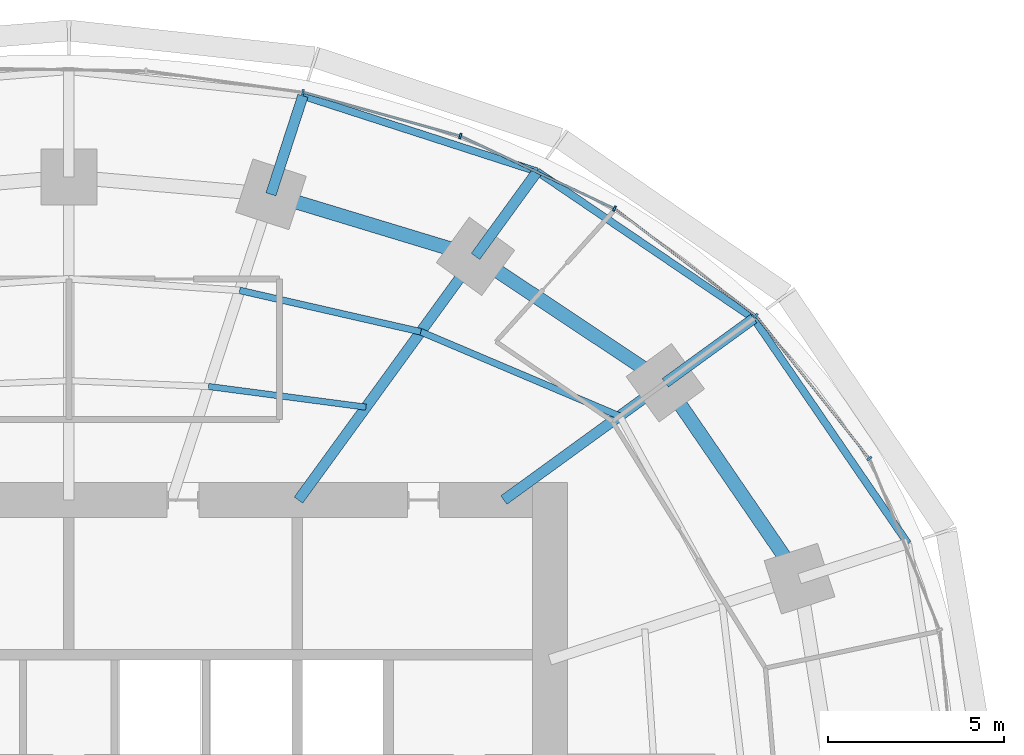
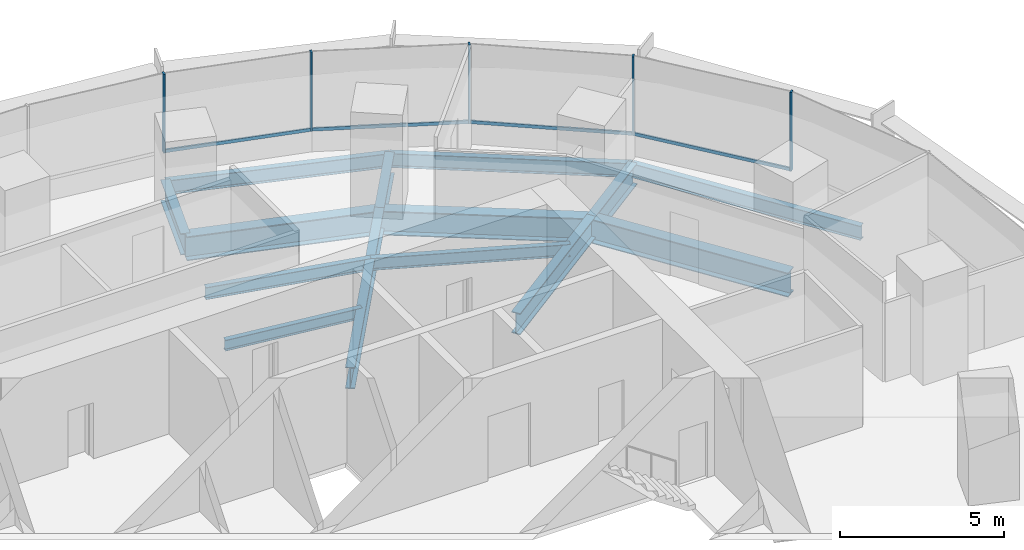
# One storey, part 8 of 14: 14 beams, 9 members, 2 elements without a shape of their own.
"""IFC4 building model written with IfcOpenShell, lengths in metres."""

from ifc_helpers import new_model, si_unit, direction, frame, origin, origin_2d, place, context, subcontext, project, spatial, rectangle, i_section, extrude, material, material_profile, profile_set, type_object, element, aggregate, save


model = new_model("IFC4")

# Units and contexts
model_context = context("Model", 3, precision=1e-05, world=origin(), true_north=direction((0.0, 1.0)))
body_context = subcontext(model_context, "Body", "Model", "MODEL_VIEW")
ifc_project = project(units=[si_unit("LENGTHUNIT", "METRE"), si_unit("AREAUNIT", "SQUARE_METRE"), si_unit("VOLUMEUNIT", "CUBIC_METRE"), si_unit("PLANEANGLEUNIT", "RADIAN"), si_unit("MASSUNIT", "GRAM", prefix="KILO")], contexts=[model_context])

# Site, building, storey
site_placement = place(None, origin())
site = spatial("IfcSite", under=ifc_project, at=site_placement, CompositionType="ELEMENT")
building_placement = place(site_placement, origin())
building = spatial("IfcBuilding", under=site, at=building_placement, Name="Marramba Exchange Tower", CompositionType="ELEMENT")
storey_placement = place(building_placement, frame((0.0, 0.0, 96.300048828125)))
storey = spatial("IfcBuildingStorey", under=building, at=storey_placement, Name="L22", CompositionType="ELEMENT", Elevation=96.300048828125)

# Beams
ifc_material_1 = material(Name="Steel AS/NZS 3679.2 grade 300", Category="steel")
ifc_material_profile_1 = material_profile(ifc_material_1, i_section(OverallWidth=0.300048828125, OverallDepth=0.800048828125, WebThickness=0.013916015625, FlangeThickness=0.031982421875, at=origin_2d()), Name="800WB192")
ifc_profile_set_1 = profile_set([ifc_material_profile_1], Name="Steel AS/NZS 3679.2 grade 300")
beam_type_1 = type_object("IfcBeamType", Name="Cantilever girder 800WB192", PredefinedType="BEAM", material=ifc_profile_set_1)
beam_1_placement = place(storey_placement, frame((16.98583984375, 12.3408203125, -0.56005859375), z_axis=(0.809013970709, 0.58778941399, 0.0), x_axis=(-0.58778941399, 0.809013970709, 0.0)))
element("IfcBeam", 1, at=beam_1_placement, inside=storey, type_object=beam_type_1, Name="Cantilever girder L22 TC03", PredefinedType="BEAM", context=body_context, shape_type="SweptSolid", body=[
    extrude(i_section(OverallWidth=0.300048828125, OverallDepth=0.800048828125, WebThickness=0.013916015625, FlangeThickness=0.031982421875, at=origin_2d()), origin(), (0.0, 0.0, 1.0), 3.1142578125),
])
beam_2_placement = place(storey_placement, frame((11.581298828125, 15.9404296875, -0.56005859375), z_axis=(0.587821738214, 0.808990484544, 0.0), x_axis=(-0.808990484544, 0.587821738214, 0.0)))
element("IfcBeam", 2, at=beam_2_placement, inside=storey, type_object=beam_type_1, Name="Cantilever girder L22 TC04", PredefinedType="BEAM", context=body_context, shape_type="SweptSolid", body=[
    extrude(i_section(OverallWidth=0.300048828125, OverallDepth=0.800048828125, WebThickness=0.013916015625, FlangeThickness=0.031982421875, at=origin_2d()), origin(), (0.0, 0.0, 1.0), 2.987060546875),
])
beam_3_placement = place(storey_placement, frame((5.75390625, 17.70849609375, -0.56005859375), z_axis=(0.309018704887, 0.951055960514, 0.0), x_axis=(-0.951055960514, 0.309018704887, 0.0)))
element("IfcBeam", 3, at=beam_3_placement, inside=storey, type_object=beam_type_1, Name="Cantilever girder L22 TC05", PredefinedType="BEAM", context=body_context, shape_type="SweptSolid", body=[
    extrude(i_section(OverallWidth=0.300048828125, OverallDepth=0.800048828125, WebThickness=0.013916015625, FlangeThickness=0.031982421875, at=origin_2d()), origin(), (0.0, 0.0, 1.0), 2.949951171875),
])
ifc_material_2 = material(Name="Steel AS/NZS 3679.1 grade 300", Category="steel")
ifc_material_profile_2 = material_profile(ifc_material_2, i_section(OverallWidth=0.177978515625, OverallDepth=0.406005859375, WebThickness=0.0078125, FlangeThickness=0.0126953125, FilletRadius=0.011474609375, at=origin_2d()), Name="410UB59.7")
ifc_profile_set_2 = profile_set([ifc_material_profile_2], Name="Steel AS/NZS 3679.1 grade 300")
beam_type_2 = type_object("IfcBeamType", Name="Floor joist 410UB59.7", PredefinedType="JOIST", material=ifc_profile_set_2)
beam_4_placement = place(storey_placement, frame((8.4619140625, 11.646728515625, -0.363037109375), z_axis=(-0.991480538255, 0.130254912618, 0.0), x_axis=(-0.130254912618, -0.991480538255, 0.0)))
element("IfcBeam", 4, at=beam_4_placement, inside=storey, type_object=beam_type_2, Name="Joist L22 bay 04 row 1", PredefinedType="JOIST", context=body_context, shape_type="SweptSolid", body=[
    extrude(i_section(OverallWidth=0.177978515625, OverallDepth=0.406005859375, WebThickness=0.0078125, FlangeThickness=0.0126953125, FilletRadius=0.011474609375, at=origin_2d()), origin(), (0.0, 0.0, 1.0), 4.524658203125),
])
ifc_material_profile_3 = material_profile(ifc_material_2, i_section(OverallWidth=0.18994140625, OverallDepth=0.4541015625, WebThickness=0.008544921875, FlangeThickness=0.0126953125, FilletRadius=0.011474609375, at=origin_2d()), Name="460UB67.1")
ifc_profile_set_3 = profile_set([ifc_material_profile_3], Name="Steel AS/NZS 3679.1 grade 300")
beam_type_3 = type_object("IfcBeamType", Name="Floor joist 460UB67.1", PredefinedType="JOIST", material=ifc_profile_set_3)
beam_5_placement = place(storey_placement, frame((15.682373046875, 11.393798828125, -0.386962890625), z_axis=(-0.920674336375, 0.390331610738, 0.0), x_axis=(-0.390331610738, -0.920674336375, 0.0)))
element("IfcBeam", 5, at=beam_5_placement, inside=storey, type_object=beam_type_3, Name="Joist L22 bay 03 row 2", PredefinedType="JOIST", context=body_context, shape_type="SweptSolid", body=[
    extrude(i_section(OverallWidth=0.18994140625, OverallDepth=0.4541015625, WebThickness=0.008544921875, FlangeThickness=0.0126953125, FilletRadius=0.011474609375, at=origin_2d()), origin(), (0.0, 0.0, 1.0), 6.1484375),
])
beam_6_placement = place(storey_placement, frame((10.021728515625, 13.793701171875, -0.386962890625), z_axis=(-0.974859652292, 0.222819788916, 0.0), x_axis=(-0.222819788916, -0.974859652292, 0.0)))
element("IfcBeam", 6, at=beam_6_placement, inside=storey, type_object=beam_type_3, Name="Joist L22 bay 04 row 2", PredefinedType="JOIST", context=body_context, shape_type="SweptSolid", body=[
    extrude(i_section(OverallWidth=0.18994140625, OverallDepth=0.4541015625, WebThickness=0.008544921875, FlangeThickness=0.0126953125, FilletRadius=0.011474609375, at=origin_2d()), origin(), (0.0, 0.0, 1.0), 5.2900390625),
])

# Curtain wall, members
ifc_material_3 = material(Name="Aluminium framing, bronze anodised", Category="aluminium")
curtain_wall_type = type_object("IfcCurtainWallType", Name="Office ribbon curtain wall", PredefinedType="USERDEFINED", material=ifc_material_3)
curtain_wall_1_placement = place(storey_placement, origin())
curtain_wall_1 = element("IfcCurtainWall", 7, at=curtain_wall_1_placement, inside=storey, type_object=curtain_wall_type, Name="Curtain wall CW4 L22 F01-F05", ObjectType="RIBBON CURTAIN WALL", PredefinedType="USERDEFINED")
ifc_material_4 = material(Name="Aluminium mullion, bronze anodised", Category="aluminium")
ifc_material_profile_4 = material_profile(ifc_material_4, rectangle(XDim=0.159912109375, YDim=0.06005859375, at=origin_2d()), Name="CW4 mullion 60x160")
ifc_profile_set_4 = profile_set([ifc_material_profile_4], Name="Aluminium mullion, bronze anodised")
member_type_1 = type_object("IfcMemberType", Name="Office ribbon curtain wall mullion", PredefinedType="MULLION", material=ifc_profile_set_4)
member_1_placement = place(storey_placement, frame((22.796630859375, 10.181640625, 0.800048828125), z_axis=(0.0, 0.0, 1.0), x_axis=(-0.783563266703, -0.621312004611, 0.0)))
member_1 = element("IfcMember", 8, at=member_1_placement, type_object=member_type_1, Name="CW4 mullion 1", PredefinedType="MULLION", context=body_context, shape_type="SweptSolid", body=[
    extrude(rectangle(XDim=0.159912109375, YDim=0.06005859375, at=origin_2d()), origin(), (0.0, 0.0, 1.0), 2.93994140625),
])
member_2_placement = place(storey_placement, frame((19.5625, 14.24853515625, 0.800048828125), z_axis=(0.0, 0.0, 1.0), x_axis=(-0.60533377223, -0.795971748366, 0.0)))
member_2 = element("IfcMember", 9, at=member_2_placement, type_object=member_type_1, Name="CW4 mullion 1", PredefinedType="MULLION", context=body_context, shape_type="SweptSolid", body=[
    extrude(rectangle(XDim=0.159912109375, YDim=0.06005859375, at=origin_2d()), origin(), (0.0, 0.0, 1.0), 2.93994140625),
])
member_3_placement = place(storey_placement, frame((15.538818359375, 17.300537109375, 0.800048828125), z_axis=(0.0, 0.0, 1.0), x_axis=(-0.426678995157, -0.904403137485, 0.0)))
member_3 = element("IfcMember", 10, at=member_3_placement, type_object=member_type_1, Name="CW4 mullion 1", PredefinedType="MULLION", context=body_context, shape_type="SweptSolid", body=[
    extrude(rectangle(XDim=0.159912109375, YDim=0.06005859375, at=origin_2d()), origin(), (0.0, 0.0, 1.0), 2.93994140625),
])

curtain_wall_2_placement = place(storey_placement, origin())
curtain_wall_2 = element("IfcCurtainWall", 11, at=curtain_wall_2_placement, inside=storey, type_object=curtain_wall_type, Name="Curtain wall CW4 L22 F06-F10", ObjectType="RIBBON CURTAIN WALL", PredefinedType="USERDEFINED")
member_4_placement = place(storey_placement, frame((11.147705078125, 19.366455078125, 0.800048828125), z_axis=(0.0, 0.0, 1.0), x_axis=(-0.268865090816, -0.963177845956, 0.0)))
member_4 = element("IfcMember", 12, at=member_4_placement, type_object=member_type_1, Name="CW4 mullion 1", PredefinedType="MULLION", context=body_context, shape_type="SweptSolid", body=[
    extrude(rectangle(XDim=0.159912109375, YDim=0.06005859375, at=origin_2d()), origin(), (0.0, 0.0, 1.0), 2.93994140625),
])
member_5_placement = place(storey_placement, frame((6.66650390625, 20.61328125, 0.800048828125), z_axis=(0.0, 0.0, 1.0), x_axis=(-0.135785837319, -0.990738212841, 0.0)))
member_5 = element("IfcMember", 13, at=member_5_placement, type_object=member_type_1, Name="CW4 mullion 1", PredefinedType="MULLION", context=body_context, shape_type="SweptSolid", body=[
    extrude(rectangle(XDim=0.159912109375, YDim=0.06005859375, at=origin_2d()), origin(), (0.0, 0.0, 1.0), 2.93994140625),
])

# Member
ifc_material_5 = material(Name="Aluminium transom, bronze anodised", Category="aluminium")
ifc_material_profile_5 = material_profile(ifc_material_5, rectangle(XDim=0.06005859375, YDim=0.1201171875, at=origin_2d()), Name="CW4 transom 60x120")
ifc_profile_set_5 = profile_set([ifc_material_profile_5], Name="Aluminium transom, bronze anodised")
member_type_2 = type_object("IfcMemberType", Name="Office ribbon curtain wall transom", PredefinedType="USERDEFINED", material=ifc_profile_set_5)
member_6_placement = place(storey_placement, frame((22.778076171875, 10.205078125, 0.829833984375), z_axis=(-0.621339379472, 0.783541559534, 0.0), x_axis=(-0.783541559534, -0.621339379472, 0.0)))
member_6 = element("IfcMember", 14, at=member_6_placement, type_object=member_type_2, Name="CW4 sill transom", ObjectType="TRANSOM", PredefinedType="USERDEFINED", context=body_context, shape_type="SweptSolid", body=[
    extrude(rectangle(XDim=0.06005859375, YDim=0.1201171875, at=origin_2d()), origin(), (0.0, 0.0, 1.0), 5.13720703125),
])

member_7_placement = place(storey_placement, frame((19.53857421875, 14.2666015625, 0.829833984375), z_axis=(-0.7959906025, 0.605308979556, 0.0), x_axis=(-0.605308979556, -0.7959906025, 0.0)))
member_7 = element("IfcMember", 15, at=member_7_placement, type_object=member_type_2, Name="CW4 sill transom", ObjectType="TRANSOM", PredefinedType="USERDEFINED", context=body_context, shape_type="SweptSolid", body=[
    extrude(rectangle(XDim=0.06005859375, YDim=0.1201171875, at=origin_2d()), origin(), (0.0, 0.0, 1.0), 4.99072265625),
])

member_8_placement = place(storey_placement, frame((15.51171875, 17.313232421875, 0.829833984375), z_axis=(-0.904410826824, 0.426662696193, 0.0), x_axis=(-0.426662696193, -0.904410826824, 0.0)))
member_8 = element("IfcMember", 16, at=member_8_placement, type_object=member_type_2, Name="CW4 sill transom", ObjectType="TRANSOM", PredefinedType="USERDEFINED", context=body_context, shape_type="SweptSolid", body=[
    extrude(rectangle(XDim=0.06005859375, YDim=0.1201171875, at=origin_2d()), origin(), (0.0, 0.0, 1.0), 4.79345703125),
])

aggregate(curtain_wall_1, [member_1, member_6, member_2, member_7, member_3, member_8])

member_9_placement = place(storey_placement, frame((11.118896484375, 19.37451171875, 0.829833984375), z_axis=(-0.963173567938, 0.268880415847, 0.0), x_axis=(-0.268880415847, -0.963173567938, 0.0)))
member_9 = element("IfcMember", 17, at=member_9_placement, type_object=member_type_2, Name="CW4 sill transom", ObjectType="TRANSOM", PredefinedType="USERDEFINED", context=body_context, shape_type="SweptSolid", body=[
    extrude(rectangle(XDim=0.06005859375, YDim=0.1201171875, at=origin_2d()), origin(), (0.0, 0.0, 1.0), 4.591796875),
])

aggregate(curtain_wall_2, [member_4, member_9, member_5])

# Beams
ifc_material_profile_6 = material_profile(ifc_material_1, i_section(OverallWidth=0.300048828125, OverallDepth=0.800048828125, WebThickness=0.013916015625, FlangeThickness=0.031982421875, at=origin_2d()), Name="800WB192")
ifc_profile_set_6 = profile_set([ifc_material_profile_6], Name="Steel AS/NZS 3679.2 grade 300")
beam_type_4 = type_object("IfcBeamType", Name="Radial girder 800WB192", PredefinedType="BEAM", material=ifc_profile_set_6)
beam_7_placement = place(storey_placement, frame((12.387451171875, 9.0, -0.56005859375), z_axis=(0.809025746925, 0.587773205252, 0.0), x_axis=(-0.587773205252, 0.809025746925, 0.0)))
element("IfcBeam", 18, at=beam_7_placement, inside=storey, type_object=beam_type_4, Name="Radial girder L22 TC03", PredefinedType="BEAM", context=body_context, shape_type="SweptSolid", body=[
    extrude(i_section(OverallWidth=0.300048828125, OverallDepth=0.800048828125, WebThickness=0.013916015625, FlangeThickness=0.031982421875, at=origin_2d()), origin(), (0.0, 0.0, 1.0), 5.683837890625),
])
beam_8_placement = place(storey_placement, frame((6.538818359375, 9.0, -0.56005859375), z_axis=(0.587782439969, 0.80901903764, 0.0), x_axis=(-0.80901903764, 0.587782439969, 0.0)))
element("IfcBeam", 19, at=beam_8_placement, inside=storey, type_object=beam_type_4, Name="Radial girder L22 TC04", PredefinedType="BEAM", context=body_context, shape_type="SweptSolid", body=[
    extrude(i_section(OverallWidth=0.300048828125, OverallDepth=0.800048828125, WebThickness=0.013916015625, FlangeThickness=0.031982421875, at=origin_2d()), origin(), (0.0, 0.0, 1.0), 8.578857421875),
])
ifc_material_profile_7 = material_profile(ifc_material_1, i_section(OverallWidth=0.39990234375, OverallDepth=0.89990234375, WebThickness=0.01611328125, FlangeThickness=0.031982421875, at=origin_2d()), Name="900WB282")
ifc_profile_set_7 = profile_set([ifc_material_profile_7], Name="Steel AS/NZS 3679.2 grade 300")
beam_type_5 = type_object("IfcBeamType", Name="Ring beam 900WB282", PredefinedType="SPANDREL", material=ifc_profile_set_7)
beam_9_placement = place(storey_placement, frame((20.808349609375, 6.760986328125, -0.610107421875), z_axis=(-0.56516002054, 0.824981303535, 0.0), x_axis=(-0.824981303535, -0.56516002054, 0.0)))
element("IfcBeam", 20, at=beam_9_placement, inside=storey, type_object=beam_type_5, Name="Ring beam L22 TC02-TC03", PredefinedType="SPANDREL", context=body_context, shape_type="SweptSolid", body=[
    extrude(i_section(OverallWidth=0.39990234375, OverallDepth=0.89990234375, WebThickness=0.01611328125, FlangeThickness=0.031982421875, at=origin_2d()), origin(), (0.0, 0.0, 1.0), 6.763671875),
])
beam_10_placement = place(storey_placement, frame((16.98583984375, 12.3408203125, -0.610107421875), z_axis=(-0.832293151443, 0.554335737673, 0.0), x_axis=(-0.554335737673, -0.832293151443, 0.0)))
element("IfcBeam", 21, at=beam_10_placement, inside=storey, type_object=beam_type_5, Name="Ring beam L22 TC03-TC04", PredefinedType="SPANDREL", context=body_context, shape_type="SweptSolid", body=[
    extrude(i_section(OverallWidth=0.39990234375, OverallDepth=0.89990234375, WebThickness=0.01611328125, FlangeThickness=0.031982421875, at=origin_2d()), origin(), (0.0, 0.0, 1.0), 6.49365234375),
])
beam_11_placement = place(storey_placement, frame((11.581298828125, 15.9404296875, -0.610107421875), z_axis=(-0.956924542524, 0.290336735387, 0.0), x_axis=(-0.290336735387, -0.956924542524, 0.0)))
element("IfcBeam", 22, at=beam_11_placement, inside=storey, type_object=beam_type_5, Name="Ring beam L22 TC04-TC05", PredefinedType="SPANDREL", context=body_context, shape_type="SweptSolid", body=[
    extrude(i_section(OverallWidth=0.39990234375, OverallDepth=0.89990234375, WebThickness=0.01611328125, FlangeThickness=0.031982421875, at=origin_2d()), origin(), (0.0, 0.0, 1.0), 6.089599609375),
])
ifc_material_profile_8 = material_profile(ifc_material_2, i_section(OverallWidth=0.208984375, OverallDepth=0.528076171875, WebThickness=0.009521484375, FlangeThickness=0.01318359375, FilletRadius=0.013916015625, at=origin_2d()), Name="530UB82.0")
ifc_profile_set_8 = profile_set([ifc_material_profile_8], Name="Steel AS/NZS 3679.1 grade 300")
beam_type_6 = type_object("IfcBeamType", Name="Slab edge beam 530UB82.0", PredefinedType="SPANDREL", material=ifc_profile_set_8)
beam_12_placement = place(storey_placement, frame((23.89501953125, 7.763916015625, -0.424072265625), z_axis=(-0.56517400038, 0.824971726361, 0.0), x_axis=(-0.824971726361, -0.56517400038, 0.0)))
element("IfcBeam", 23, at=beam_12_placement, inside=storey, type_object=beam_type_6, Name="Slab edge beam L22 TC02-TC03", PredefinedType="SPANDREL", context=body_context, shape_type="SweptSolid", body=[
    extrude(i_section(OverallWidth=0.208984375, OverallDepth=0.528076171875, WebThickness=0.009521484375, FlangeThickness=0.01318359375, FilletRadius=0.013916015625, at=origin_2d()), origin(), (0.0, 0.0, 1.0), 7.766845703125),
])
beam_13_placement = place(storey_placement, frame((19.50537109375, 14.17138671875, -0.424072265625), z_axis=(-0.827477404833, 0.561499015574, 0.0), x_axis=(-0.561499015574, -0.827477404833, 0.0)))
element("IfcBeam", 24, at=beam_13_placement, inside=storey, type_object=beam_type_6, Name="Slab edge beam L22 TC03-TC04", PredefinedType="SPANDREL", context=body_context, shape_type="SweptSolid", body=[
    extrude(i_section(OverallWidth=0.208984375, OverallDepth=0.528076171875, WebThickness=0.009521484375, FlangeThickness=0.01318359375, FilletRadius=0.013916015625, at=origin_2d()), origin(), (0.0, 0.0, 1.0), 7.454345703125),
])
beam_14_placement = place(storey_placement, frame((13.337158203125, 18.35693359375, -0.424072265625), z_axis=(-0.951496392577, 0.307659901373, 0.0), x_axis=(-0.307659901373, -0.951496392577, 0.0)))
element("IfcBeam", 25, at=beam_14_placement, inside=storey, type_object=beam_type_6, Name="Slab edge beam L22 TC04-TC05", PredefinedType="SPANDREL", context=body_context, shape_type="SweptSolid", body=[
    extrude(i_section(OverallWidth=0.208984375, OverallDepth=0.528076171875, WebThickness=0.009521484375, FlangeThickness=0.01318359375, FilletRadius=0.013916015625, at=origin_2d()), origin(), (0.0, 0.0, 1.0), 7.01171875),
])

save(model, "model.ifc")
